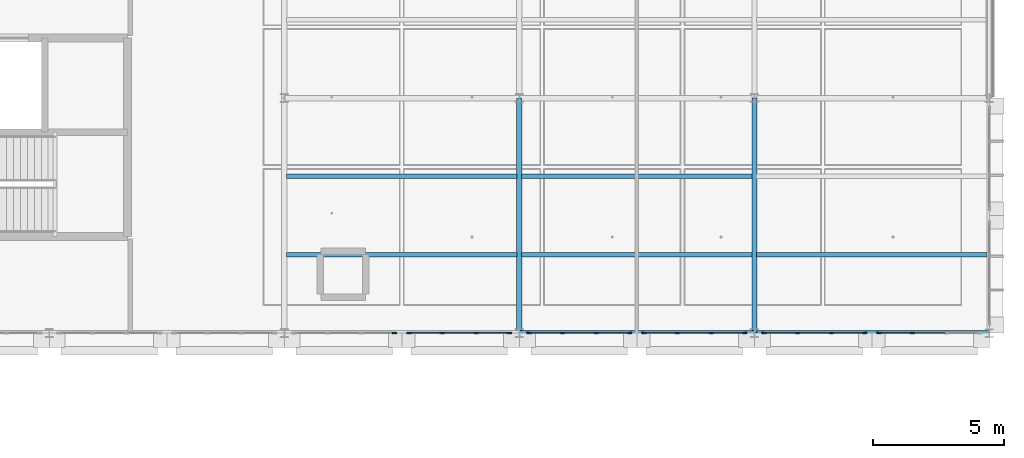
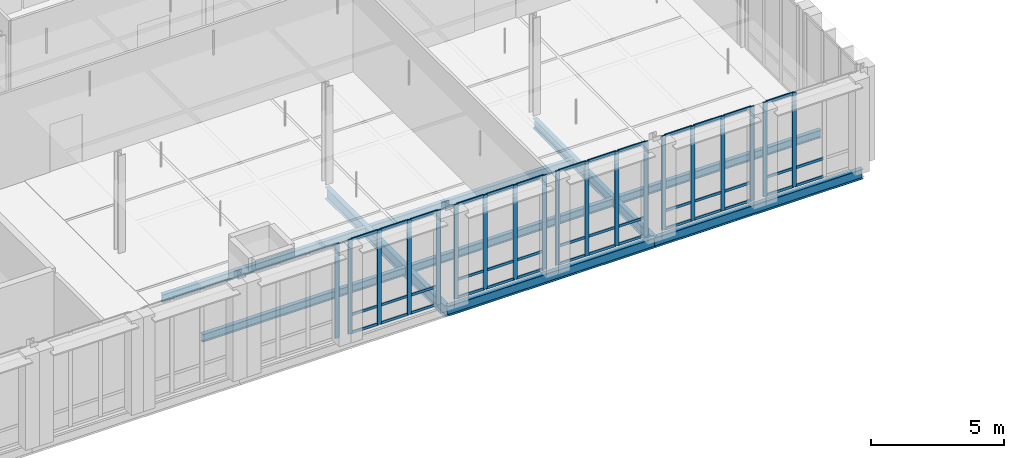
# One storey, part 31 of 89: 60 members, 9 beams, 6 elements without a shape of their own.
"""IFC4 building model written with IfcOpenShell, lengths in metres."""

import ifcopenshell
import ifcopenshell.guid

model = None  # the IFC model being written
_history = None  # IfcOwnerHistory: only IFC2X3 demands one
_inside = {}  # id of a spatial element -> (the spatial element, [elements in it])
_under = {}  # id of a project, library or spatial element -> (it, [spatial elements below it])
_declared = {}  # id of a project -> (the project, [libraries it declares])
_typed = {}  # id of a type object -> (the type object, [elements of that type])
_made_of = {}  # id of a material, layer set ... -> (it, [elements and type objects made of it])


def new_model(schema):
    """Start an empty IFC model of exactly this schema.

    Asked for "IFC4X3", IfcOpenShell would pick the latest addendum, in which some entities
    have other attributes; the version numbers below select the first issue.
    IFC2X3 requires an IfcOwnerHistory on every rooted entity: one is made here for all.
    """
    global model, _history
    if schema == "IFC4X3":
        model = ifcopenshell.file(schema_version=(4, 3, 0, 0))
    else:
        model = ifcopenshell.file(schema=schema)
    _inside.clear()
    _under.clear()
    _declared.clear()
    _typed.clear()
    _made_of.clear()
    _history = None
    if model.schema == "IFC2X3":
        org = make("IfcOrganization", Name="unknown")
        user = make(
            "IfcPersonAndOrganization",
            ThePerson=make("IfcPerson", FamilyName="unknown"),
            TheOrganization=org,
        )
        app = make(
            "IfcApplication",
            ApplicationDeveloper=org,
            Version="unknown",
            ApplicationFullName="unknown",
            ApplicationIdentifier="unknown",
        )
        _history = make(
            "IfcOwnerHistory",
            OwningUser=user,
            OwningApplication=app,
            ChangeAction="ADDED",
            CreationDate=0,
        )
    return model


def make(cls, **values):
    """One entity of the class cls with the attributes given. An attribute that is None is left unset."""
    return model.create_entity(
        cls, **{name: value for name, value in values.items() if value is not None}
    )


def rooted(cls, **values):
    """An entity with a GlobalId (a new one), such as an element, a storey or a relation."""
    return make(cls, GlobalId=ifcopenshell.guid.new(), OwnerHistory=_history, **values)


def si_unit(unit_type, name, prefix=None):
    """IfcSIUnit, for example si_unit("LENGTHUNIT", "METRE", prefix="MILLI")."""
    return make("IfcSIUnit", UnitType=unit_type, Prefix=prefix, Name=name)


def assignment(units):
    """IfcUnitAssignment: the units of a project."""
    return None if units is None else make("IfcUnitAssignment", Units=units)


def point(xyz):
    """IfcCartesianPoint."""
    return None if xyz is None else make("IfcCartesianPoint", Coordinates=xyz)


def direction(xyz):
    """IfcDirection."""
    return None if xyz is None else make("IfcDirection", DirectionRatios=xyz)


def frame(location, z_axis=None, x_axis=None):
    """IfcAxis2Placement3D, a coordinate frame: its origin and axes. An axis left out is left unset."""
    return make(
        "IfcAxis2Placement3D",
        Location=point(location),
        Axis=direction(z_axis),
        RefDirection=direction(x_axis),
    )


def frame_2d(location, x_axis=None):
    """IfcAxis2Placement2D, a coordinate frame in the plane: its origin and x axis."""
    return make(
        "IfcAxis2Placement2D", Location=point(location), RefDirection=direction(x_axis)
    )


def origin():
    """The frame at (0, 0, 0) with its axes left unset."""
    return frame((0.0, 0.0, 0.0))


def origin_2d():
    """The frame at (0, 0) in the plane with its x axis left unset."""
    return frame_2d((0.0, 0.0))


def place(relative_to, where):
    """IfcLocalPlacement: puts the frame where relative to a parent placement (None: the world)."""
    return make(
        "IfcLocalPlacement", PlacementRelTo=relative_to, RelativePlacement=where
    )


def context(
    kind, dimensions, precision=None, world=None, true_north=None, identifier=None
):
    """IfcGeometricRepresentationContext, for example the 3D "Model" context."""
    return make(
        "IfcGeometricRepresentationContext",
        ContextIdentifier=identifier,
        ContextType=kind,
        CoordinateSpaceDimension=dimensions,
        Precision=precision,
        WorldCoordinateSystem=world,
        TrueNorth=true_north,
    )


def subcontext(parent, identifier, kind, view, scale=None):
    """IfcGeometricRepresentationSubContext, for example "Body" below "Model"."""
    return make(
        "IfcGeometricRepresentationSubContext",
        ContextIdentifier=identifier,
        ContextType=kind,
        ParentContext=parent,
        TargetScale=scale,
        TargetView=view,
    )


def project(units=None, contexts=None):
    """IfcProject with its units and contexts."""
    return rooted(
        "IfcProject",
        Name="project",
        RepresentationContexts=contexts,
        UnitsInContext=assignment(units),
    )


def spatial(cls, under=None, at=None, **own):
    """A site, building, storey or space (cls), placed at a placement, below another one or the project."""
    s = rooted(cls, ObjectPlacement=at, **own)
    if under is not None:
        _under.setdefault(under.id(), (under, []))[1].append(s)
    return s


def profile(cls, at=None, kind="AREA", **sizes):
    """A parametric profile (cls). Its sizes go by their IFC names, for example OverallWidth=200.0."""
    return make(cls, ProfileType=kind, Position=at, **sizes)


def rectangle(**sizes):
    """IfcRectangleProfileDef."""
    return profile("IfcRectangleProfileDef", **sizes)


def i_section(**sizes):
    """IfcIShapeProfileDef."""
    return profile("IfcIShapeProfileDef", **sizes)


def extrude(swept, where, along, depth):
    """IfcExtrudedAreaSolid: the profile swept, set in the frame where, extruded along a direction by depth."""
    return make(
        "IfcExtrudedAreaSolid",
        SweptArea=swept,
        Position=where,
        ExtrudedDirection=direction(along),
        Depth=depth,
    )


def shape(context_of_items, identifier, shape_type, items):
    """IfcShapeRepresentation: the items that make up one representation, for example the "Body"."""
    return make(
        "IfcShapeRepresentation",
        ContextOfItems=context_of_items,
        RepresentationIdentifier=identifier,
        RepresentationType=shape_type,
        Items=items,
    )


def material(Name=None, Category=None):
    """IfcMaterial."""
    return make("IfcMaterial", Name=Name, Category=Category)


def material_profile(
    of_material, cross_section, Name=None, Category=None, Priority=None
):
    """IfcMaterialProfile: a cross section and its material."""
    return make(
        "IfcMaterialProfile",
        Name=Name,
        Material=of_material,
        Profile=cross_section,
        Priority=Priority,
        Category=Category,
    )


def profile_set(profiles, Name=None, composite=None):
    """IfcMaterialProfileSet."""
    return make(
        "IfcMaterialProfileSet",
        Name=Name,
        MaterialProfiles=profiles,
        CompositeProfile=composite,
    )


def made_of(thing, what):
    """Note that an element or type object is made of a material, layer set ...; save() writes the relation."""
    if what is not None:
        _made_of.setdefault(what.id(), (what, []))[1].append(thing)
    return thing


def type_object(cls, material=None, **own):
    """A type object (cls), such as IfcWallType, which elements share."""
    return made_of(rooted(cls, **own), material)


def element(
    cls,
    number,
    at=None,
    inside=None,
    cuts=None,
    type_object=None,
    material=None,
    context=None,
    identifier="Body",
    shape_type=None,
    held_by="IfcProductDefinitionShape",
    body=None,
    shapes=None,
    **own,
):
    """One element of the class cls, such as IfcWall. Its Tag is "e" and its number.

    at: its placement. inside: the storey or other place that contains it. cuts: it is an
    opening in that element (IfcRelVoidsElement). A single representation is given by context,
    identifier, shape_type and body (its items); several are given by shapes. held_by: the class
    of the entity that holds the representations. save() writes the other relations.
    """
    e = rooted(cls, Tag="e%d" % number, ObjectPlacement=at, **own)
    if body is not None:
        shapes = [shape(context, identifier, shape_type, body)]
    if shapes is not None:
        e.Representation = make(held_by, Representations=shapes)
    if inside is not None:
        _inside.setdefault(inside.id(), (inside, []))[1].append(e)
    if cuts is not None:
        rooted(
            "IfcRelVoidsElement", RelatingBuildingElement=cuts, RelatedOpeningElement=e
        )
    if type_object is not None:
        _typed.setdefault(type_object.id(), (type_object, []))[1].append(e)
    return made_of(e, material)


def aggregate(whole, parts):
    """IfcRelAggregates: a whole, such as a stair, and the parts it consists of."""
    return rooted("IfcRelAggregates", RelatingObject=whole, RelatedObjects=parts)


def save(model, path):
    """Write the relations noted so far, then the file.

    IfcRelAggregates (storeys below a building ...), IfcRelContainedInSpatialStructure (elements
    in a storey), IfcRelDefinesByType, IfcRelAssociatesMaterial and IfcRelDeclares: one each for
    every whole, place, type object, material and project.
    """
    for whole, parts in _under.values():
        aggregate(whole, parts)
    for where, things in _inside.values():
        rooted(
            "IfcRelContainedInSpatialStructure",
            RelatedElements=things,
            RelatingStructure=where,
        )
    for kind, things in _typed.values():
        rooted("IfcRelDefinesByType", RelatedObjects=things, RelatingType=kind)
    for what, things in _made_of.values():
        rooted("IfcRelAssociatesMaterial", RelatedObjects=things, RelatingMaterial=what)
    for by, libraries in _declared.values():
        rooted("IfcRelDeclares", RelatingContext=by, RelatedDefinitions=libraries)
    model.write(path)


model = new_model("IFC4")

# Units and contexts
model_context = context("Model", 3, precision=1e-05, world=origin(), true_north=direction((0.0, 1.0)))
body_context = subcontext(model_context, "Body", "Model", "MODEL_VIEW")
ifc_project = project(units=[si_unit("LENGTHUNIT", "METRE"), si_unit("AREAUNIT", "SQUARE_METRE"), si_unit("VOLUMEUNIT", "CUBIC_METRE"), si_unit("PLANEANGLEUNIT", "RADIAN"), si_unit("MASSUNIT", "GRAM", prefix="KILO"), si_unit("THERMODYNAMICTEMPERATUREUNIT", "KELVIN"), si_unit("POWERUNIT", "WATT")], contexts=[model_context])

# Site, building, storey
site_placement = place(None, origin())
site = spatial("IfcSite", under=ifc_project, at=site_placement, CompositionType="ELEMENT")
building_placement = place(site_placement, origin())
building = spatial("IfcBuilding", under=site, at=building_placement, Name="Tallowbark Science Centre", CompositionType="ELEMENT")
storey_placement = place(building_placement, frame((0.0, 0.0, 14.39990234375)))
storey = spatial("IfcBuildingStorey", under=building, at=storey_placement, Name="L03", CompositionType="ELEMENT", Elevation=14.39990234375)

# Beam
ifc_material_1 = material(Name="Structural Steel Grade 300PLUS (300 MPa)", Category="steel")
ifc_material_profile_1 = material_profile(ifc_material_1, i_section(OverallWidth=0.208740234375, OverallDepth=0.5283203125, WebThickness=0.009521484375, FlangeThickness=0.01318359375, FilletRadius=0.013916015625, at=origin_2d()), Name="530UB82.0")
ifc_profile_set_1 = profile_set([ifc_material_profile_1], Name="Structural Steel Grade 300PLUS (300 MPa)")
beam_type_1 = type_object("IfcBeamType", Name="BM-UB530B", PredefinedType="BEAM", material=ifc_profile_set_1)
beam_placement = place(storey_placement, frame((139.5, 72.0, -0.444091796875), z_axis=(0.0, 1.0, 0.0), x_axis=(-1.0, 0.0, 0.0)))
element("IfcBeam", 1, at=beam_placement, inside=storey, type_object=beam_type_1, Name="Primary Girder GRDY-L03-1395-720-810", PredefinedType="BEAM", context=body_context, shape_type="SweptSolid", body=[
    extrude(i_section(OverallWidth=0.208740234375, OverallDepth=0.5283203125, WebThickness=0.009521484375, FlangeThickness=0.01318359375, FilletRadius=0.013916015625, at=origin_2d()), origin(), (0.0, 0.0, 1.0), 9.0),
])

# Curtain wall, member
ifc_material_2 = material(Name="Unitised Thermally Broken Aluminium and Low-E Double Glazing", Category="aluminium")
curtain_wall_type = type_object("IfcCurtainWallType", Name="CW-SYS-FACADE", PredefinedType="NOTDEFINED", material=ifc_material_2)
curtain_wall_1_placement = place(storey_placement, origin())
curtain_wall_1 = element("IfcCurtainWall", 2, at=curtain_wall_1_placement, inside=storey, type_object=curtain_wall_type, Name="Unitised Curtain Wall OBS-S-130A CW-L03-172", PredefinedType="NOTDEFINED")
ifc_material_3 = material(Name="Anodised Architectural Aluminium Alloy 6063-T6", Category="aluminium")
ifc_material_profile_2 = material_profile(ifc_material_3, rectangle(XDim=0.06494140625, YDim=0.179931640625, at=origin_2d()), Name="ALU65x180")
ifc_profile_set_2 = profile_set([ifc_material_profile_2], Name="Anodised Architectural Aluminium Alloy 6063-T6")
member_type_1 = type_object("IfcMemberType", Name="CWM-MUL-220", PredefinedType="MULLION", material=ifc_profile_set_2)
member_1_placement = place(storey_placement, frame((134.717529296875, 72.0, 0.0), z_axis=(0.0, 0.0, 1.0), x_axis=(0.0, 1.0, 0.0)))
member_1 = element("IfcMember", 3, at=member_1_placement, type_object=member_type_1, Name="CW-01 mullion 4", PredefinedType="MULLION", context=body_context, shape_type="SweptSolid", body=[
    extrude(rectangle(XDim=0.06494140625, YDim=0.179931640625, at=origin_2d()), origin(), (0.0, 0.0, 1.0), 4.320068359375),
])
aggregate(curtain_wall_1, [member_1])

# Curtain wall, members
curtain_wall_2_placement = place(storey_placement, origin())
curtain_wall_2 = element("IfcCurtainWall", 4, at=curtain_wall_2_placement, inside=storey, type_object=curtain_wall_type, Name="Unitised Curtain Wall OBS-S-130B CW-L03-173", PredefinedType="NOTDEFINED")
member_2_placement = place(storey_placement, frame((135.282470703125, 72.0, 0.0), z_axis=(0.0, 0.0, 1.0), x_axis=(0.0, 1.0, 0.0)))
member_2 = element("IfcMember", 5, at=member_2_placement, type_object=member_type_1, Name="CW-01 mullion 1", PredefinedType="MULLION", context=body_context, shape_type="SweptSolid", body=[
    extrude(rectangle(XDim=0.06494140625, YDim=0.179931640625, at=origin_2d()), origin(), (0.0, 0.0, 1.0), 4.320068359375),
])
member_3_placement = place(storey_placement, frame((136.550048828125, 72.0, 0.0), z_axis=(0.0, 0.0, 1.0), x_axis=(0.0, 1.0, 0.0)))
member_3 = element("IfcMember", 6, at=member_3_placement, type_object=member_type_1, Name="CW-01 mullion 2", PredefinedType="MULLION", context=body_context, shape_type="SweptSolid", body=[
    extrude(rectangle(XDim=0.06494140625, YDim=0.179931640625, at=origin_2d()), origin(), (0.0, 0.0, 1.0), 4.320068359375),
])
member_4_placement = place(storey_placement, frame((137.85009765625, 72.0, 0.0), z_axis=(0.0, 0.0, 1.0), x_axis=(0.0, 1.0, 0.0)))
member_4 = element("IfcMember", 7, at=member_4_placement, type_object=member_type_1, Name="CW-01 mullion 3", PredefinedType="MULLION", context=body_context, shape_type="SweptSolid", body=[
    extrude(rectangle(XDim=0.06494140625, YDim=0.179931640625, at=origin_2d()), origin(), (0.0, 0.0, 1.0), 4.320068359375),
])
member_5_placement = place(storey_placement, frame((139.117431640625, 72.0, 0.0), z_axis=(0.0, 0.0, 1.0), x_axis=(0.0, 1.0, 0.0)))
member_5 = element("IfcMember", 8, at=member_5_placement, type_object=member_type_1, Name="CW-01 mullion 4", PredefinedType="MULLION", context=body_context, shape_type="SweptSolid", body=[
    extrude(rectangle(XDim=0.06494140625, YDim=0.179931640625, at=origin_2d()), origin(), (0.0, 0.0, 1.0), 4.320068359375),
])

curtain_wall_3_placement = place(storey_placement, origin())
curtain_wall_3 = element("IfcCurtainWall", 9, at=curtain_wall_3_placement, inside=storey, type_object=curtain_wall_type, Name="Unitised Curtain Wall OBS-S-139A CW-L03-176", PredefinedType="NOTDEFINED")
member_6_placement = place(storey_placement, frame((139.882568359375, 72.0, 0.0), z_axis=(0.0, 0.0, 1.0), x_axis=(0.0, 1.0, 0.0)))
member_6 = element("IfcMember", 10, at=member_6_placement, type_object=member_type_1, Name="CW-01 mullion 1", PredefinedType="MULLION", context=body_context, shape_type="SweptSolid", body=[
    extrude(rectangle(XDim=0.06494140625, YDim=0.179931640625, at=origin_2d()), origin(), (0.0, 0.0, 1.0), 4.320068359375),
])
member_7_placement = place(storey_placement, frame((141.14990234375, 72.0, 0.0), z_axis=(0.0, 0.0, 1.0), x_axis=(0.0, 1.0, 0.0)))
member_7 = element("IfcMember", 11, at=member_7_placement, type_object=member_type_1, Name="CW-01 mullion 2", PredefinedType="MULLION", context=body_context, shape_type="SweptSolid", body=[
    extrude(rectangle(XDim=0.06494140625, YDim=0.179931640625, at=origin_2d()), origin(), (0.0, 0.0, 1.0), 4.320068359375),
])
member_8_placement = place(storey_placement, frame((142.449951171875, 72.0, 0.0), z_axis=(0.0, 0.0, 1.0), x_axis=(0.0, 1.0, 0.0)))
member_8 = element("IfcMember", 12, at=member_8_placement, type_object=member_type_1, Name="CW-01 mullion 3", PredefinedType="MULLION", context=body_context, shape_type="SweptSolid", body=[
    extrude(rectangle(XDim=0.06494140625, YDim=0.179931640625, at=origin_2d()), origin(), (0.0, 0.0, 1.0), 4.320068359375),
])
member_9_placement = place(storey_placement, frame((143.717529296875, 72.0, 0.0), z_axis=(0.0, 0.0, 1.0), x_axis=(0.0, 1.0, 0.0)))
member_9 = element("IfcMember", 13, at=member_9_placement, type_object=member_type_1, Name="CW-01 mullion 4", PredefinedType="MULLION", context=body_context, shape_type="SweptSolid", body=[
    extrude(rectangle(XDim=0.06494140625, YDim=0.179931640625, at=origin_2d()), origin(), (0.0, 0.0, 1.0), 4.320068359375),
])

curtain_wall_4_placement = place(storey_placement, origin())
curtain_wall_4 = element("IfcCurtainWall", 14, at=curtain_wall_4_placement, inside=storey, type_object=curtain_wall_type, Name="Unitised Curtain Wall OBS-S-139B CW-L03-177", PredefinedType="NOTDEFINED")
member_10_placement = place(storey_placement, frame((144.282470703125, 72.0, 0.0), z_axis=(0.0, 0.0, 1.0), x_axis=(0.0, 1.0, 0.0)))
member_10 = element("IfcMember", 15, at=member_10_placement, type_object=member_type_1, Name="CW-01 mullion 1", PredefinedType="MULLION", context=body_context, shape_type="SweptSolid", body=[
    extrude(rectangle(XDim=0.06494140625, YDim=0.179931640625, at=origin_2d()), origin(), (0.0, 0.0, 1.0), 4.320068359375),
])
member_11_placement = place(storey_placement, frame((145.550048828125, 72.0, 0.0), z_axis=(0.0, 0.0, 1.0), x_axis=(0.0, 1.0, 0.0)))
member_11 = element("IfcMember", 16, at=member_11_placement, type_object=member_type_1, Name="CW-01 mullion 2", PredefinedType="MULLION", context=body_context, shape_type="SweptSolid", body=[
    extrude(rectangle(XDim=0.06494140625, YDim=0.179931640625, at=origin_2d()), origin(), (0.0, 0.0, 1.0), 4.320068359375),
])
member_12_placement = place(storey_placement, frame((146.85009765625, 72.0, 0.0), z_axis=(0.0, 0.0, 1.0), x_axis=(0.0, 1.0, 0.0)))
member_12 = element("IfcMember", 17, at=member_12_placement, type_object=member_type_1, Name="CW-01 mullion 3", PredefinedType="MULLION", context=body_context, shape_type="SweptSolid", body=[
    extrude(rectangle(XDim=0.06494140625, YDim=0.179931640625, at=origin_2d()), origin(), (0.0, 0.0, 1.0), 4.320068359375),
])
member_13_placement = place(storey_placement, frame((148.117431640625, 72.0, 0.0), z_axis=(0.0, 0.0, 1.0), x_axis=(0.0, 1.0, 0.0)))
member_13 = element("IfcMember", 18, at=member_13_placement, type_object=member_type_1, Name="CW-01 mullion 4", PredefinedType="MULLION", context=body_context, shape_type="SweptSolid", body=[
    extrude(rectangle(XDim=0.06494140625, YDim=0.179931640625, at=origin_2d()), origin(), (0.0, 0.0, 1.0), 4.320068359375),
])

curtain_wall_5_placement = place(storey_placement, origin())
curtain_wall_5 = element("IfcCurtainWall", 19, at=curtain_wall_5_placement, inside=storey, type_object=curtain_wall_type, Name="Unitised Curtain Wall OBS-S-148A CW-L03-180", PredefinedType="NOTDEFINED")
member_14_placement = place(storey_placement, frame((148.882568359375, 72.0, 0.0), z_axis=(0.0, 0.0, 1.0), x_axis=(0.0, 1.0, 0.0)))
member_14 = element("IfcMember", 20, at=member_14_placement, type_object=member_type_1, Name="CW-01 mullion 1", PredefinedType="MULLION", context=body_context, shape_type="SweptSolid", body=[
    extrude(rectangle(XDim=0.06494140625, YDim=0.179931640625, at=origin_2d()), origin(), (0.0, 0.0, 1.0), 4.320068359375),
])
member_15_placement = place(storey_placement, frame((150.14990234375, 72.0, 0.0), z_axis=(0.0, 0.0, 1.0), x_axis=(0.0, 1.0, 0.0)))
member_15 = element("IfcMember", 21, at=member_15_placement, type_object=member_type_1, Name="CW-01 mullion 2", PredefinedType="MULLION", context=body_context, shape_type="SweptSolid", body=[
    extrude(rectangle(XDim=0.06494140625, YDim=0.179931640625, at=origin_2d()), origin(), (0.0, 0.0, 1.0), 4.320068359375),
])
member_16_placement = place(storey_placement, frame((151.449951171875, 72.0, 0.0), z_axis=(0.0, 0.0, 1.0), x_axis=(0.0, 1.0, 0.0)))
member_16 = element("IfcMember", 22, at=member_16_placement, type_object=member_type_1, Name="CW-01 mullion 3", PredefinedType="MULLION", context=body_context, shape_type="SweptSolid", body=[
    extrude(rectangle(XDim=0.06494140625, YDim=0.179931640625, at=origin_2d()), origin(), (0.0, 0.0, 1.0), 4.320068359375),
])
member_17_placement = place(storey_placement, frame((152.717529296875, 72.0, 0.0), z_axis=(0.0, 0.0, 1.0), x_axis=(0.0, 1.0, 0.0)))
member_17 = element("IfcMember", 23, at=member_17_placement, type_object=member_type_1, Name="CW-01 mullion 4", PredefinedType="MULLION", context=body_context, shape_type="SweptSolid", body=[
    extrude(rectangle(XDim=0.06494140625, YDim=0.179931640625, at=origin_2d()), origin(), (0.0, 0.0, 1.0), 4.320068359375),
])

curtain_wall_6_placement = place(storey_placement, origin())
curtain_wall_6 = element("IfcCurtainWall", 24, at=curtain_wall_6_placement, inside=storey, type_object=curtain_wall_type, Name="Unitised Curtain Wall OBS-S-148B CW-L03-181", PredefinedType="NOTDEFINED")
member_18_placement = place(storey_placement, frame((153.282470703125, 72.0, 0.0), z_axis=(0.0, 0.0, 1.0), x_axis=(0.0, 1.0, 0.0)))
member_18 = element("IfcMember", 25, at=member_18_placement, type_object=member_type_1, Name="CW-01 mullion 1", PredefinedType="MULLION", context=body_context, shape_type="SweptSolid", body=[
    extrude(rectangle(XDim=0.06494140625, YDim=0.179931640625, at=origin_2d()), origin(), (0.0, 0.0, 1.0), 4.320068359375),
])
member_19_placement = place(storey_placement, frame((154.550048828125, 72.0, 0.0), z_axis=(0.0, 0.0, 1.0), x_axis=(0.0, 1.0, 0.0)))
member_19 = element("IfcMember", 26, at=member_19_placement, type_object=member_type_1, Name="CW-01 mullion 2", PredefinedType="MULLION", context=body_context, shape_type="SweptSolid", body=[
    extrude(rectangle(XDim=0.06494140625, YDim=0.179931640625, at=origin_2d()), origin(), (0.0, 0.0, 1.0), 4.320068359375),
])

# Member
ifc_material_profile_3 = material_profile(ifc_material_3, rectangle(XDim=0.054931640625, YDim=0.1201171875, at=origin_2d()), Name="ALU55x120")
ifc_profile_set_3 = profile_set([ifc_material_profile_3], Name="Anodised Architectural Aluminium Alloy 6063-T6")
member_type_2 = type_object("IfcMemberType", Name="CWM-TRN-150", PredefinedType="USERDEFINED", material=ifc_profile_set_3)
member_20_placement = place(storey_placement, frame((135.31494140625, 72.0, 0.027587890625), z_axis=(1.0, 0.0, 0.0), x_axis=(0.0, 1.0, 0.0)))
member_20 = element("IfcMember", 27, at=member_20_placement, type_object=member_type_2, Name="CW-01 transom 1.1", ObjectType="TRANSOM", PredefinedType="USERDEFINED", context=body_context, shape_type="SweptSolid", body=[
    extrude(rectangle(XDim=0.054931640625, YDim=0.1201171875, at=origin_2d()), origin(), (0.0, 0.0, 1.0), 1.20263671875),
])

member_21_placement = place(storey_placement, frame((135.31494140625, 72.0, 0.85009765625), z_axis=(1.0, 0.0, 0.0), x_axis=(0.0, 1.0, 0.0)))
member_21 = element("IfcMember", 28, at=member_21_placement, type_object=member_type_2, Name="CW-01 transom 1.2", ObjectType="TRANSOM", PredefinedType="USERDEFINED", context=body_context, shape_type="SweptSolid", body=[
    extrude(rectangle(XDim=0.054931640625, YDim=0.1201171875, at=origin_2d()), origin(), (0.0, 0.0, 1.0), 1.20263671875),
])

member_22_placement = place(storey_placement, frame((135.31494140625, 72.0, 4.29248046875), z_axis=(1.0, 0.0, 0.0), x_axis=(0.0, 1.0, 0.0)))
member_22 = element("IfcMember", 29, at=member_22_placement, type_object=member_type_2, Name="CW-01 transom 1.3", ObjectType="TRANSOM", PredefinedType="USERDEFINED", context=body_context, shape_type="SweptSolid", body=[
    extrude(rectangle(XDim=0.054931640625, YDim=0.1201171875, at=origin_2d()), origin(), (0.0, 0.0, 1.0), 1.20263671875),
])

member_23_placement = place(storey_placement, frame((136.58251953125, 72.0, 0.027587890625), z_axis=(1.0, 0.0, 0.0), x_axis=(0.0, 1.0, 0.0)))
member_23 = element("IfcMember", 30, at=member_23_placement, type_object=member_type_2, Name="CW-01 transom 2.1", ObjectType="TRANSOM", PredefinedType="USERDEFINED", context=body_context, shape_type="SweptSolid", body=[
    extrude(rectangle(XDim=0.054931640625, YDim=0.1201171875, at=origin_2d()), origin(), (0.0, 0.0, 1.0), 1.23486328125),
])

member_24_placement = place(storey_placement, frame((136.58251953125, 72.0, 0.85009765625), z_axis=(1.0, 0.0, 0.0), x_axis=(0.0, 1.0, 0.0)))
member_24 = element("IfcMember", 31, at=member_24_placement, type_object=member_type_2, Name="CW-01 transom 2.2", ObjectType="TRANSOM", PredefinedType="USERDEFINED", context=body_context, shape_type="SweptSolid", body=[
    extrude(rectangle(XDim=0.054931640625, YDim=0.1201171875, at=origin_2d()), origin(), (0.0, 0.0, 1.0), 1.23486328125),
])

member_25_placement = place(storey_placement, frame((136.58251953125, 72.0, 4.29248046875), z_axis=(1.0, 0.0, 0.0), x_axis=(0.0, 1.0, 0.0)))
member_25 = element("IfcMember", 32, at=member_25_placement, type_object=member_type_2, Name="CW-01 transom 2.3", ObjectType="TRANSOM", PredefinedType="USERDEFINED", context=body_context, shape_type="SweptSolid", body=[
    extrude(rectangle(XDim=0.054931640625, YDim=0.1201171875, at=origin_2d()), origin(), (0.0, 0.0, 1.0), 1.23486328125),
])

member_26_placement = place(storey_placement, frame((137.882568359375, 72.0, 0.027587890625), z_axis=(1.0, 0.0, 0.0), x_axis=(0.0, 1.0, 0.0)))
member_26 = element("IfcMember", 33, at=member_26_placement, type_object=member_type_2, Name="CW-01 transom 3.1", ObjectType="TRANSOM", PredefinedType="USERDEFINED", context=body_context, shape_type="SweptSolid", body=[
    extrude(rectangle(XDim=0.054931640625, YDim=0.1201171875, at=origin_2d()), origin(), (0.0, 0.0, 1.0), 1.202392578125),
])

member_27_placement = place(storey_placement, frame((137.882568359375, 72.0, 0.85009765625), z_axis=(1.0, 0.0, 0.0), x_axis=(0.0, 1.0, 0.0)))
member_27 = element("IfcMember", 34, at=member_27_placement, type_object=member_type_2, Name="CW-01 transom 3.2", ObjectType="TRANSOM", PredefinedType="USERDEFINED", context=body_context, shape_type="SweptSolid", body=[
    extrude(rectangle(XDim=0.054931640625, YDim=0.1201171875, at=origin_2d()), origin(), (0.0, 0.0, 1.0), 1.202392578125),
])

member_28_placement = place(storey_placement, frame((137.882568359375, 72.0, 4.29248046875), z_axis=(1.0, 0.0, 0.0), x_axis=(0.0, 1.0, 0.0)))
member_28 = element("IfcMember", 35, at=member_28_placement, type_object=member_type_2, Name="CW-01 transom 3.3", ObjectType="TRANSOM", PredefinedType="USERDEFINED", context=body_context, shape_type="SweptSolid", body=[
    extrude(rectangle(XDim=0.054931640625, YDim=0.1201171875, at=origin_2d()), origin(), (0.0, 0.0, 1.0), 1.202392578125),
])

aggregate(curtain_wall_2, [member_2, member_3, member_4, member_5, member_20, member_21, member_22, member_23, member_24, member_25, member_26, member_27, member_28])

member_29_placement = place(storey_placement, frame((139.9150390625, 72.0, 0.027587890625), z_axis=(1.0, 0.0, 0.0), x_axis=(0.0, 1.0, 0.0)))
member_29 = element("IfcMember", 36, at=member_29_placement, type_object=member_type_2, Name="CW-01 transom 1.1", ObjectType="TRANSOM", PredefinedType="USERDEFINED", context=body_context, shape_type="SweptSolid", body=[
    extrude(rectangle(XDim=0.054931640625, YDim=0.1201171875, at=origin_2d()), origin(), (0.0, 0.0, 1.0), 1.202392578125),
])

member_30_placement = place(storey_placement, frame((139.9150390625, 72.0, 0.85009765625), z_axis=(1.0, 0.0, 0.0), x_axis=(0.0, 1.0, 0.0)))
member_30 = element("IfcMember", 37, at=member_30_placement, type_object=member_type_2, Name="CW-01 transom 1.2", ObjectType="TRANSOM", PredefinedType="USERDEFINED", context=body_context, shape_type="SweptSolid", body=[
    extrude(rectangle(XDim=0.054931640625, YDim=0.1201171875, at=origin_2d()), origin(), (0.0, 0.0, 1.0), 1.202392578125),
])

member_31_placement = place(storey_placement, frame((139.9150390625, 72.0, 4.29248046875), z_axis=(1.0, 0.0, 0.0), x_axis=(0.0, 1.0, 0.0)))
member_31 = element("IfcMember", 38, at=member_31_placement, type_object=member_type_2, Name="CW-01 transom 1.3", ObjectType="TRANSOM", PredefinedType="USERDEFINED", context=body_context, shape_type="SweptSolid", body=[
    extrude(rectangle(XDim=0.054931640625, YDim=0.1201171875, at=origin_2d()), origin(), (0.0, 0.0, 1.0), 1.202392578125),
])

member_32_placement = place(storey_placement, frame((141.1826171875, 72.0, 0.027587890625), z_axis=(1.0, 0.0, 0.0), x_axis=(0.0, 1.0, 0.0)))
member_32 = element("IfcMember", 39, at=member_32_placement, type_object=member_type_2, Name="CW-01 transom 2.1", ObjectType="TRANSOM", PredefinedType="USERDEFINED", context=body_context, shape_type="SweptSolid", body=[
    extrude(rectangle(XDim=0.054931640625, YDim=0.1201171875, at=origin_2d()), origin(), (0.0, 0.0, 1.0), 1.23486328125),
])

member_33_placement = place(storey_placement, frame((141.1826171875, 72.0, 0.85009765625), z_axis=(1.0, 0.0, 0.0), x_axis=(0.0, 1.0, 0.0)))
member_33 = element("IfcMember", 40, at=member_33_placement, type_object=member_type_2, Name="CW-01 transom 2.2", ObjectType="TRANSOM", PredefinedType="USERDEFINED", context=body_context, shape_type="SweptSolid", body=[
    extrude(rectangle(XDim=0.054931640625, YDim=0.1201171875, at=origin_2d()), origin(), (0.0, 0.0, 1.0), 1.23486328125),
])

member_34_placement = place(storey_placement, frame((141.1826171875, 72.0, 4.29248046875), z_axis=(1.0, 0.0, 0.0), x_axis=(0.0, 1.0, 0.0)))
member_34 = element("IfcMember", 41, at=member_34_placement, type_object=member_type_2, Name="CW-01 transom 2.3", ObjectType="TRANSOM", PredefinedType="USERDEFINED", context=body_context, shape_type="SweptSolid", body=[
    extrude(rectangle(XDim=0.054931640625, YDim=0.1201171875, at=origin_2d()), origin(), (0.0, 0.0, 1.0), 1.23486328125),
])

member_35_placement = place(storey_placement, frame((142.482421875, 72.0, 0.027587890625), z_axis=(1.0, 0.0, 0.0), x_axis=(0.0, 1.0, 0.0)))
member_35 = element("IfcMember", 42, at=member_35_placement, type_object=member_type_2, Name="CW-01 transom 3.1", ObjectType="TRANSOM", PredefinedType="USERDEFINED", context=body_context, shape_type="SweptSolid", body=[
    extrude(rectangle(XDim=0.054931640625, YDim=0.1201171875, at=origin_2d()), origin(), (0.0, 0.0, 1.0), 1.20263671875),
])

member_36_placement = place(storey_placement, frame((142.482421875, 72.0, 0.85009765625), z_axis=(1.0, 0.0, 0.0), x_axis=(0.0, 1.0, 0.0)))
member_36 = element("IfcMember", 43, at=member_36_placement, type_object=member_type_2, Name="CW-01 transom 3.2", ObjectType="TRANSOM", PredefinedType="USERDEFINED", context=body_context, shape_type="SweptSolid", body=[
    extrude(rectangle(XDim=0.054931640625, YDim=0.1201171875, at=origin_2d()), origin(), (0.0, 0.0, 1.0), 1.20263671875),
])

member_37_placement = place(storey_placement, frame((142.482421875, 72.0, 4.29248046875), z_axis=(1.0, 0.0, 0.0), x_axis=(0.0, 1.0, 0.0)))
member_37 = element("IfcMember", 44, at=member_37_placement, type_object=member_type_2, Name="CW-01 transom 3.3", ObjectType="TRANSOM", PredefinedType="USERDEFINED", context=body_context, shape_type="SweptSolid", body=[
    extrude(rectangle(XDim=0.054931640625, YDim=0.1201171875, at=origin_2d()), origin(), (0.0, 0.0, 1.0), 1.20263671875),
])

aggregate(curtain_wall_3, [member_6, member_7, member_8, member_9, member_29, member_30, member_31, member_32, member_33, member_34, member_35, member_36, member_37])

member_38_placement = place(storey_placement, frame((144.31494140625, 72.0, 0.027587890625), z_axis=(1.0, 0.0, 0.0), x_axis=(0.0, 1.0, 0.0)))
member_38 = element("IfcMember", 45, at=member_38_placement, type_object=member_type_2, Name="CW-01 transom 1.1", ObjectType="TRANSOM", PredefinedType="USERDEFINED", context=body_context, shape_type="SweptSolid", body=[
    extrude(rectangle(XDim=0.054931640625, YDim=0.1201171875, at=origin_2d()), origin(), (0.0, 0.0, 1.0), 1.20263671875),
])

member_39_placement = place(storey_placement, frame((144.31494140625, 72.0, 0.85009765625), z_axis=(1.0, 0.0, 0.0), x_axis=(0.0, 1.0, 0.0)))
member_39 = element("IfcMember", 46, at=member_39_placement, type_object=member_type_2, Name="CW-01 transom 1.2", ObjectType="TRANSOM", PredefinedType="USERDEFINED", context=body_context, shape_type="SweptSolid", body=[
    extrude(rectangle(XDim=0.054931640625, YDim=0.1201171875, at=origin_2d()), origin(), (0.0, 0.0, 1.0), 1.20263671875),
])

member_40_placement = place(storey_placement, frame((144.31494140625, 72.0, 4.29248046875), z_axis=(1.0, 0.0, 0.0), x_axis=(0.0, 1.0, 0.0)))
member_40 = element("IfcMember", 47, at=member_40_placement, type_object=member_type_2, Name="CW-01 transom 1.3", ObjectType="TRANSOM", PredefinedType="USERDEFINED", context=body_context, shape_type="SweptSolid", body=[
    extrude(rectangle(XDim=0.054931640625, YDim=0.1201171875, at=origin_2d()), origin(), (0.0, 0.0, 1.0), 1.20263671875),
])

member_41_placement = place(storey_placement, frame((145.58251953125, 72.0, 0.027587890625), z_axis=(1.0, 0.0, 0.0), x_axis=(0.0, 1.0, 0.0)))
member_41 = element("IfcMember", 48, at=member_41_placement, type_object=member_type_2, Name="CW-01 transom 2.1", ObjectType="TRANSOM", PredefinedType="USERDEFINED", context=body_context, shape_type="SweptSolid", body=[
    extrude(rectangle(XDim=0.054931640625, YDim=0.1201171875, at=origin_2d()), origin(), (0.0, 0.0, 1.0), 1.23486328125),
])

member_42_placement = place(storey_placement, frame((145.58251953125, 72.0, 0.85009765625), z_axis=(1.0, 0.0, 0.0), x_axis=(0.0, 1.0, 0.0)))
member_42 = element("IfcMember", 49, at=member_42_placement, type_object=member_type_2, Name="CW-01 transom 2.2", ObjectType="TRANSOM", PredefinedType="USERDEFINED", context=body_context, shape_type="SweptSolid", body=[
    extrude(rectangle(XDim=0.054931640625, YDim=0.1201171875, at=origin_2d()), origin(), (0.0, 0.0, 1.0), 1.23486328125),
])

member_43_placement = place(storey_placement, frame((145.58251953125, 72.0, 4.29248046875), z_axis=(1.0, 0.0, 0.0), x_axis=(0.0, 1.0, 0.0)))
member_43 = element("IfcMember", 50, at=member_43_placement, type_object=member_type_2, Name="CW-01 transom 2.3", ObjectType="TRANSOM", PredefinedType="USERDEFINED", context=body_context, shape_type="SweptSolid", body=[
    extrude(rectangle(XDim=0.054931640625, YDim=0.1201171875, at=origin_2d()), origin(), (0.0, 0.0, 1.0), 1.23486328125),
])

member_44_placement = place(storey_placement, frame((146.882568359375, 72.0, 0.027587890625), z_axis=(1.0, 0.0, 0.0), x_axis=(0.0, 1.0, 0.0)))
member_44 = element("IfcMember", 51, at=member_44_placement, type_object=member_type_2, Name="CW-01 transom 3.1", ObjectType="TRANSOM", PredefinedType="USERDEFINED", context=body_context, shape_type="SweptSolid", body=[
    extrude(rectangle(XDim=0.054931640625, YDim=0.1201171875, at=origin_2d()), origin(), (0.0, 0.0, 1.0), 1.202392578125),
])

member_45_placement = place(storey_placement, frame((146.882568359375, 72.0, 0.85009765625), z_axis=(1.0, 0.0, 0.0), x_axis=(0.0, 1.0, 0.0)))
member_45 = element("IfcMember", 52, at=member_45_placement, type_object=member_type_2, Name="CW-01 transom 3.2", ObjectType="TRANSOM", PredefinedType="USERDEFINED", context=body_context, shape_type="SweptSolid", body=[
    extrude(rectangle(XDim=0.054931640625, YDim=0.1201171875, at=origin_2d()), origin(), (0.0, 0.0, 1.0), 1.202392578125),
])

member_46_placement = place(storey_placement, frame((146.882568359375, 72.0, 4.29248046875), z_axis=(1.0, 0.0, 0.0), x_axis=(0.0, 1.0, 0.0)))
member_46 = element("IfcMember", 53, at=member_46_placement, type_object=member_type_2, Name="CW-01 transom 3.3", ObjectType="TRANSOM", PredefinedType="USERDEFINED", context=body_context, shape_type="SweptSolid", body=[
    extrude(rectangle(XDim=0.054931640625, YDim=0.1201171875, at=origin_2d()), origin(), (0.0, 0.0, 1.0), 1.202392578125),
])

aggregate(curtain_wall_4, [member_10, member_11, member_12, member_13, member_38, member_39, member_40, member_41, member_42, member_43, member_44, member_45, member_46])

member_47_placement = place(storey_placement, frame((148.9150390625, 72.0, 0.027587890625), z_axis=(1.0, 0.0, 0.0), x_axis=(0.0, 1.0, 0.0)))
member_47 = element("IfcMember", 54, at=member_47_placement, type_object=member_type_2, Name="CW-01 transom 1.1", ObjectType="TRANSOM", PredefinedType="USERDEFINED", context=body_context, shape_type="SweptSolid", body=[
    extrude(rectangle(XDim=0.054931640625, YDim=0.1201171875, at=origin_2d()), origin(), (0.0, 0.0, 1.0), 1.202392578125),
])

member_48_placement = place(storey_placement, frame((148.9150390625, 72.0, 0.85009765625), z_axis=(1.0, 0.0, 0.0), x_axis=(0.0, 1.0, 0.0)))
member_48 = element("IfcMember", 55, at=member_48_placement, type_object=member_type_2, Name="CW-01 transom 1.2", ObjectType="TRANSOM", PredefinedType="USERDEFINED", context=body_context, shape_type="SweptSolid", body=[
    extrude(rectangle(XDim=0.054931640625, YDim=0.1201171875, at=origin_2d()), origin(), (0.0, 0.0, 1.0), 1.202392578125),
])

member_49_placement = place(storey_placement, frame((148.9150390625, 72.0, 4.29248046875), z_axis=(1.0, 0.0, 0.0), x_axis=(0.0, 1.0, 0.0)))
member_49 = element("IfcMember", 56, at=member_49_placement, type_object=member_type_2, Name="CW-01 transom 1.3", ObjectType="TRANSOM", PredefinedType="USERDEFINED", context=body_context, shape_type="SweptSolid", body=[
    extrude(rectangle(XDim=0.054931640625, YDim=0.1201171875, at=origin_2d()), origin(), (0.0, 0.0, 1.0), 1.202392578125),
])

member_50_placement = place(storey_placement, frame((150.1826171875, 72.0, 0.027587890625), z_axis=(1.0, 0.0, 0.0), x_axis=(0.0, 1.0, 0.0)))
member_50 = element("IfcMember", 57, at=member_50_placement, type_object=member_type_2, Name="CW-01 transom 2.1", ObjectType="TRANSOM", PredefinedType="USERDEFINED", context=body_context, shape_type="SweptSolid", body=[
    extrude(rectangle(XDim=0.054931640625, YDim=0.1201171875, at=origin_2d()), origin(), (0.0, 0.0, 1.0), 1.23486328125),
])

member_51_placement = place(storey_placement, frame((150.1826171875, 72.0, 0.85009765625), z_axis=(1.0, 0.0, 0.0), x_axis=(0.0, 1.0, 0.0)))
member_51 = element("IfcMember", 58, at=member_51_placement, type_object=member_type_2, Name="CW-01 transom 2.2", ObjectType="TRANSOM", PredefinedType="USERDEFINED", context=body_context, shape_type="SweptSolid", body=[
    extrude(rectangle(XDim=0.054931640625, YDim=0.1201171875, at=origin_2d()), origin(), (0.0, 0.0, 1.0), 1.23486328125),
])

member_52_placement = place(storey_placement, frame((150.1826171875, 72.0, 4.29248046875), z_axis=(1.0, 0.0, 0.0), x_axis=(0.0, 1.0, 0.0)))
member_52 = element("IfcMember", 59, at=member_52_placement, type_object=member_type_2, Name="CW-01 transom 2.3", ObjectType="TRANSOM", PredefinedType="USERDEFINED", context=body_context, shape_type="SweptSolid", body=[
    extrude(rectangle(XDim=0.054931640625, YDim=0.1201171875, at=origin_2d()), origin(), (0.0, 0.0, 1.0), 1.23486328125),
])

member_53_placement = place(storey_placement, frame((151.482421875, 72.0, 0.027587890625), z_axis=(1.0, 0.0, 0.0), x_axis=(0.0, 1.0, 0.0)))
member_53 = element("IfcMember", 60, at=member_53_placement, type_object=member_type_2, Name="CW-01 transom 3.1", ObjectType="TRANSOM", PredefinedType="USERDEFINED", context=body_context, shape_type="SweptSolid", body=[
    extrude(rectangle(XDim=0.054931640625, YDim=0.1201171875, at=origin_2d()), origin(), (0.0, 0.0, 1.0), 1.20263671875),
])

member_54_placement = place(storey_placement, frame((151.482421875, 72.0, 0.85009765625), z_axis=(1.0, 0.0, 0.0), x_axis=(0.0, 1.0, 0.0)))
member_54 = element("IfcMember", 61, at=member_54_placement, type_object=member_type_2, Name="CW-01 transom 3.2", ObjectType="TRANSOM", PredefinedType="USERDEFINED", context=body_context, shape_type="SweptSolid", body=[
    extrude(rectangle(XDim=0.054931640625, YDim=0.1201171875, at=origin_2d()), origin(), (0.0, 0.0, 1.0), 1.20263671875),
])

member_55_placement = place(storey_placement, frame((151.482421875, 72.0, 4.29248046875), z_axis=(1.0, 0.0, 0.0), x_axis=(0.0, 1.0, 0.0)))
member_55 = element("IfcMember", 62, at=member_55_placement, type_object=member_type_2, Name="CW-01 transom 3.3", ObjectType="TRANSOM", PredefinedType="USERDEFINED", context=body_context, shape_type="SweptSolid", body=[
    extrude(rectangle(XDim=0.054931640625, YDim=0.1201171875, at=origin_2d()), origin(), (0.0, 0.0, 1.0), 1.20263671875),
])

aggregate(curtain_wall_5, [member_14, member_15, member_16, member_17, member_47, member_48, member_49, member_50, member_51, member_52, member_53, member_54, member_55])

member_56_placement = place(storey_placement, frame((153.31494140625, 72.0, 0.027587890625), z_axis=(1.0, 0.0, 0.0), x_axis=(0.0, 1.0, 0.0)))
member_56 = element("IfcMember", 63, at=member_56_placement, type_object=member_type_2, Name="CW-01 transom 1.1", ObjectType="TRANSOM", PredefinedType="USERDEFINED", context=body_context, shape_type="SweptSolid", body=[
    extrude(rectangle(XDim=0.054931640625, YDim=0.1201171875, at=origin_2d()), origin(), (0.0, 0.0, 1.0), 1.20263671875),
])

member_57_placement = place(storey_placement, frame((153.31494140625, 72.0, 0.85009765625), z_axis=(1.0, 0.0, 0.0), x_axis=(0.0, 1.0, 0.0)))
member_57 = element("IfcMember", 64, at=member_57_placement, type_object=member_type_2, Name="CW-01 transom 1.2", ObjectType="TRANSOM", PredefinedType="USERDEFINED", context=body_context, shape_type="SweptSolid", body=[
    extrude(rectangle(XDim=0.054931640625, YDim=0.1201171875, at=origin_2d()), origin(), (0.0, 0.0, 1.0), 1.20263671875),
])

member_58_placement = place(storey_placement, frame((153.31494140625, 72.0, 4.29248046875), z_axis=(1.0, 0.0, 0.0), x_axis=(0.0, 1.0, 0.0)))
member_58 = element("IfcMember", 65, at=member_58_placement, type_object=member_type_2, Name="CW-01 transom 1.3", ObjectType="TRANSOM", PredefinedType="USERDEFINED", context=body_context, shape_type="SweptSolid", body=[
    extrude(rectangle(XDim=0.054931640625, YDim=0.1201171875, at=origin_2d()), origin(), (0.0, 0.0, 1.0), 1.20263671875),
])

member_59_placement = place(storey_placement, frame((154.58251953125, 72.0, 0.027587890625), z_axis=(1.0, 0.0, 0.0), x_axis=(0.0, 1.0, 0.0)))
member_59 = element("IfcMember", 66, at=member_59_placement, type_object=member_type_2, Name="CW-01 transom 2.1", ObjectType="TRANSOM", PredefinedType="USERDEFINED", context=body_context, shape_type="SweptSolid", body=[
    extrude(rectangle(XDim=0.054931640625, YDim=0.1201171875, at=origin_2d()), origin(), (0.0, 0.0, 1.0), 1.23486328125),
])

member_60_placement = place(storey_placement, frame((154.58251953125, 72.0, 0.85009765625), z_axis=(1.0, 0.0, 0.0), x_axis=(0.0, 1.0, 0.0)))
member_60 = element("IfcMember", 67, at=member_60_placement, type_object=member_type_2, Name="CW-01 transom 2.2", ObjectType="TRANSOM", PredefinedType="USERDEFINED", context=body_context, shape_type="SweptSolid", body=[
    extrude(rectangle(XDim=0.054931640625, YDim=0.1201171875, at=origin_2d()), origin(), (0.0, 0.0, 1.0), 1.23486328125),
])

aggregate(curtain_wall_6, [member_18, member_19, member_56, member_57, member_58, member_59, member_60])

# Beams
ifc_material_profile_4 = material_profile(ifc_material_1, i_section(OverallWidth=0.172119140625, OverallDepth=0.358642578125, WebThickness=0.008056640625, FlangeThickness=0.012939453125, FilletRadius=0.011474609375, at=origin_2d()), Name="360UB56.7")
ifc_profile_set_4 = profile_set([ifc_material_profile_4], Name="Structural Steel Grade 300PLUS (300 MPa)")
beam_type_2 = type_object("IfcBeamType", Name="JST-UB360", PredefinedType="JOIST", material=ifc_profile_set_4)
for number, where, z_axis, x_axis, name in (
    (68, (130.5849609375, 75.0, -0.359130859375), (1.0, 0.0, 0.0), (0.0, 1.0, 0.0), "Composite Floor Joist JSTX-L03-1305-750"),
    (69, (130.5849609375, 78.0, -0.359130859375), (1.0, 0.0, 0.0), (0.0, 1.0, 0.0), "Composite Floor Joist JSTX-L03-1305-780"),
    (70, (139.5849609375, 75.0, -0.359130859375), (1.0, 0.0, 0.0), (0.0, 1.0, 0.0), "Composite Floor Joist JSTX-L03-1395-750"),
    (71, (139.5849609375, 78.0, -0.359130859375), (1.0, 0.0, 0.0), (0.0, 1.0, 0.0), "Composite Floor Joist JSTX-L03-1395-780"),
    (72, (148.5849609375, 75.0, -0.359130859375), (1.0, 0.0, 0.0), (0.0, 1.0, 0.0), "Composite Floor Joist JSTX-L03-1485-750"),
):
    element("IfcBeam", number, at=place(storey_placement, frame(where, z_axis=z_axis, x_axis=x_axis)), inside=storey, type_object=beam_type_2, Name=name, PredefinedType="JOIST", context=body_context, shape_type="SweptSolid", body=[
        extrude(i_section(OverallWidth=0.172119140625, OverallDepth=0.358642578125, WebThickness=0.008056640625, FlangeThickness=0.012939453125, FilletRadius=0.011474609375, at=origin_2d()), origin(), (0.0, 0.0, 1.0), 8.830078125),
    ])
ifc_material_profile_5 = material_profile(ifc_material_1, i_section(OverallWidth=0.18994140625, OverallDepth=0.453857421875, WebThickness=0.008544921875, FlangeThickness=0.0126953125, FilletRadius=0.011474609375, at=origin_2d()), Name="460UB67.1")
ifc_profile_set_5 = profile_set([ifc_material_profile_5], Name="Structural Steel Grade 300PLUS (300 MPa)")
beam_type_3 = type_object("IfcBeamType", Name="SPN-UB460", PredefinedType="SPANDREL", material=ifc_profile_set_5)
for number, where, z_axis, x_axis, name in (
    (73, (139.5, 72.0, -0.40673828125), (1.0, 0.0, 0.0), (0.0, 1.0, 0.0), "Primary Girder GRDX-L03-1395-1485-720"),
    (74, (148.5, 72.0, -0.40673828125), (1.0, 0.0, 0.0), (0.0, 1.0, 0.0), "Primary Girder GRDX-L03-1485-1575-720"),
    (75, (148.5, 72.0, -0.40673828125), (0.0, 1.0, 0.0), (-1.0, 0.0, 0.0), "Primary Girder GRDY-L03-1485-720-810"),
):
    element("IfcBeam", number, at=place(storey_placement, frame(where, z_axis=z_axis, x_axis=x_axis)), inside=storey, type_object=beam_type_3, Name=name, PredefinedType="SPANDREL", context=body_context, shape_type="SweptSolid", body=[
        extrude(i_section(OverallWidth=0.18994140625, OverallDepth=0.453857421875, WebThickness=0.008544921875, FlangeThickness=0.0126953125, FilletRadius=0.011474609375, at=origin_2d()), origin(), (0.0, 0.0, 1.0), 9.0),
    ])

save(model, "model.ifc")
